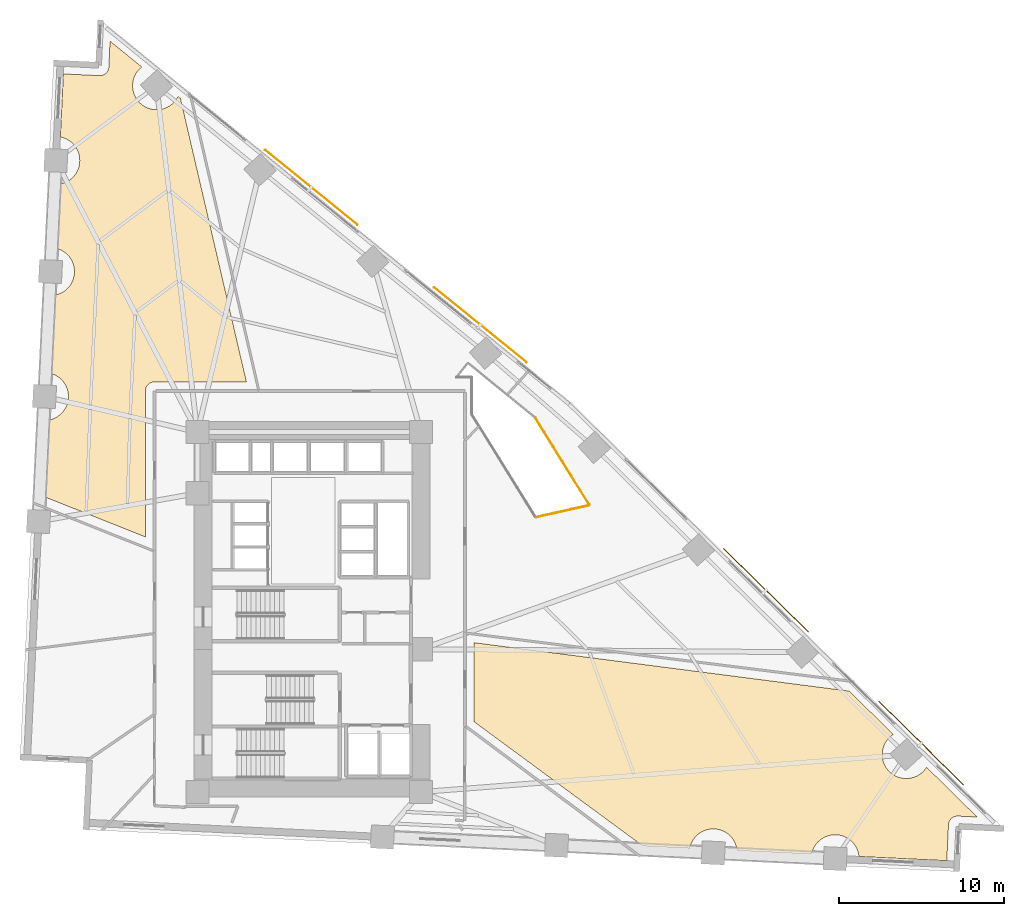
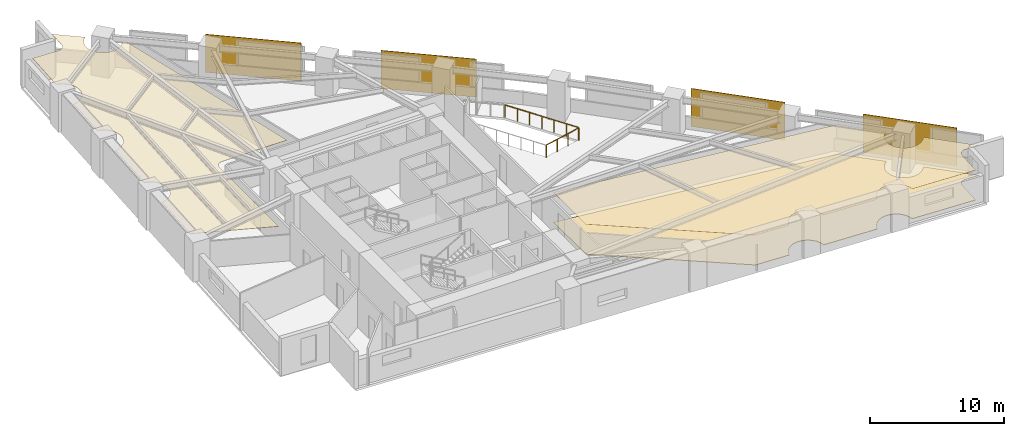
# One storey, part 17 of 17: 4 shading devices, 3 coverings, 2 railings.
"""IFC4 building model written with IfcOpenShell, lengths in metres."""

import ifcopenshell
import ifcopenshell.guid

model = None  # the IFC model being written
_history = None  # IfcOwnerHistory: only IFC2X3 demands one
_inside = {}  # id of a spatial element -> (the spatial element, [elements in it])
_under = {}  # id of a project, library or spatial element -> (it, [spatial elements below it])
_declared = {}  # id of a project -> (the project, [libraries it declares])
_typed = {}  # id of a type object -> (the type object, [elements of that type])
_made_of = {}  # id of a material, layer set ... -> (it, [elements and type objects made of it])


def new_model(schema):
    """Start an empty IFC model of exactly this schema.

    Asked for "IFC4X3", IfcOpenShell would pick the latest addendum, in which some entities
    have other attributes; the version numbers below select the first issue.
    IFC2X3 requires an IfcOwnerHistory on every rooted entity: one is made here for all.
    """
    global model, _history
    if schema == "IFC4X3":
        model = ifcopenshell.file(schema_version=(4, 3, 0, 0))
    else:
        model = ifcopenshell.file(schema=schema)
    _inside.clear()
    _under.clear()
    _declared.clear()
    _typed.clear()
    _made_of.clear()
    _history = None
    if model.schema == "IFC2X3":
        org = make("IfcOrganization", Name="unknown")
        user = make(
            "IfcPersonAndOrganization",
            ThePerson=make("IfcPerson", FamilyName="unknown"),
            TheOrganization=org,
        )
        app = make(
            "IfcApplication",
            ApplicationDeveloper=org,
            Version="unknown",
            ApplicationFullName="unknown",
            ApplicationIdentifier="unknown",
        )
        _history = make(
            "IfcOwnerHistory",
            OwningUser=user,
            OwningApplication=app,
            ChangeAction="ADDED",
            CreationDate=0,
        )
    return model


def make(cls, **values):
    """One entity of the class cls with the attributes given. An attribute that is None is left unset."""
    return model.create_entity(
        cls, **{name: value for name, value in values.items() if value is not None}
    )


def rooted(cls, **values):
    """An entity with a GlobalId (a new one), such as an element, a storey or a relation."""
    return make(cls, GlobalId=ifcopenshell.guid.new(), OwnerHistory=_history, **values)


def si_unit(unit_type, name, prefix=None):
    """IfcSIUnit, for example si_unit("LENGTHUNIT", "METRE", prefix="MILLI")."""
    return make("IfcSIUnit", UnitType=unit_type, Prefix=prefix, Name=name)


def assignment(units):
    """IfcUnitAssignment: the units of a project."""
    return None if units is None else make("IfcUnitAssignment", Units=units)


def point(xyz):
    """IfcCartesianPoint."""
    return None if xyz is None else make("IfcCartesianPoint", Coordinates=xyz)


def direction(xyz):
    """IfcDirection."""
    return None if xyz is None else make("IfcDirection", DirectionRatios=xyz)


def frame(location, z_axis=None, x_axis=None):
    """IfcAxis2Placement3D, a coordinate frame: its origin and axes. An axis left out is left unset."""
    return make(
        "IfcAxis2Placement3D",
        Location=point(location),
        Axis=direction(z_axis),
        RefDirection=direction(x_axis),
    )


def frame_2d(location, x_axis=None):
    """IfcAxis2Placement2D, a coordinate frame in the plane: its origin and x axis."""
    return make(
        "IfcAxis2Placement2D", Location=point(location), RefDirection=direction(x_axis)
    )


def origin():
    """The frame at (0, 0, 0) with its axes left unset."""
    return frame((0.0, 0.0, 0.0))


def origin_2d():
    """The frame at (0, 0) in the plane with its x axis left unset."""
    return frame_2d((0.0, 0.0))


def place(relative_to, where):
    """IfcLocalPlacement: puts the frame where relative to a parent placement (None: the world)."""
    return make(
        "IfcLocalPlacement", PlacementRelTo=relative_to, RelativePlacement=where
    )


def context(
    kind, dimensions, precision=None, world=None, true_north=None, identifier=None
):
    """IfcGeometricRepresentationContext, for example the 3D "Model" context."""
    return make(
        "IfcGeometricRepresentationContext",
        ContextIdentifier=identifier,
        ContextType=kind,
        CoordinateSpaceDimension=dimensions,
        Precision=precision,
        WorldCoordinateSystem=world,
        TrueNorth=true_north,
    )


def subcontext(parent, identifier, kind, view, scale=None):
    """IfcGeometricRepresentationSubContext, for example "Body" below "Model"."""
    return make(
        "IfcGeometricRepresentationSubContext",
        ContextIdentifier=identifier,
        ContextType=kind,
        ParentContext=parent,
        TargetScale=scale,
        TargetView=view,
    )


def project(units=None, contexts=None):
    """IfcProject with its units and contexts."""
    return rooted(
        "IfcProject",
        Name="project",
        RepresentationContexts=contexts,
        UnitsInContext=assignment(units),
    )


def spatial(cls, under=None, at=None, **own):
    """A site, building, storey or space (cls), placed at a placement, below another one or the project."""
    s = rooted(cls, ObjectPlacement=at, **own)
    if under is not None:
        _under.setdefault(under.id(), (under, []))[1].append(s)
    return s


def polyline(points):
    """IfcPolyline through the points."""
    return make("IfcPolyline", Points=[point(p) for p in points])


def profile(cls, at=None, kind="AREA", **sizes):
    """A parametric profile (cls). Its sizes go by their IFC names, for example OverallWidth=200.0."""
    return make(cls, ProfileType=kind, Position=at, **sizes)


def rectangle(**sizes):
    """IfcRectangleProfileDef."""
    return profile("IfcRectangleProfileDef", **sizes)


def circle(**sizes):
    """IfcCircleProfileDef."""
    return profile("IfcCircleProfileDef", **sizes)


def outline(outer, holes=None, kind="AREA"):
    """IfcArbitraryClosedProfileDef: a profile drawn as a closed curve; with holes, ...WithVoids."""
    if holes is None:
        return make("IfcArbitraryClosedProfileDef", ProfileType=kind, OuterCurve=outer)
    return make(
        "IfcArbitraryProfileDefWithVoids",
        ProfileType=kind,
        OuterCurve=outer,
        InnerCurves=holes,
    )


def extrude(swept, where, along, depth):
    """IfcExtrudedAreaSolid: the profile swept, set in the frame where, extruded along a direction by depth."""
    return make(
        "IfcExtrudedAreaSolid",
        SweptArea=swept,
        Position=where,
        ExtrudedDirection=direction(along),
        Depth=depth,
    )


def shape(context_of_items, identifier, shape_type, items):
    """IfcShapeRepresentation: the items that make up one representation, for example the "Body"."""
    return make(
        "IfcShapeRepresentation",
        ContextOfItems=context_of_items,
        RepresentationIdentifier=identifier,
        RepresentationType=shape_type,
        Items=items,
    )


def material(Name=None, Category=None):
    """IfcMaterial."""
    return make("IfcMaterial", Name=Name, Category=Category)


def layer(
    of_material, thickness, ventilated=None, Name=None, Category=None, Priority=None
):
    """IfcMaterialLayer: one layer of a wall or slab, of a material (None: an air gap)."""
    return make(
        "IfcMaterialLayer",
        Material=of_material,
        LayerThickness=thickness,
        IsVentilated=ventilated,
        Name=Name,
        Category=Category,
        Priority=Priority,
    )


def layer_set(layers, Name=None):
    """IfcMaterialLayerSet."""
    return make("IfcMaterialLayerSet", MaterialLayers=layers, LayerSetName=Name)


def made_of(thing, what):
    """Note that an element or type object is made of a material, layer set ...; save() writes the relation."""
    if what is not None:
        _made_of.setdefault(what.id(), (what, []))[1].append(thing)
    return thing


def type_object(cls, material=None, **own):
    """A type object (cls), such as IfcWallType, which elements share."""
    return made_of(rooted(cls, **own), material)


def element(
    cls,
    number,
    at=None,
    inside=None,
    cuts=None,
    type_object=None,
    material=None,
    context=None,
    identifier="Body",
    shape_type=None,
    held_by="IfcProductDefinitionShape",
    body=None,
    shapes=None,
    **own,
):
    """One element of the class cls, such as IfcWall. Its Tag is "e" and its number.

    at: its placement. inside: the storey or other place that contains it. cuts: it is an
    opening in that element (IfcRelVoidsElement). A single representation is given by context,
    identifier, shape_type and body (its items); several are given by shapes. held_by: the class
    of the entity that holds the representations. save() writes the other relations.
    """
    e = rooted(cls, Tag="e%d" % number, ObjectPlacement=at, **own)
    if body is not None:
        shapes = [shape(context, identifier, shape_type, body)]
    if shapes is not None:
        e.Representation = make(held_by, Representations=shapes)
    if inside is not None:
        _inside.setdefault(inside.id(), (inside, []))[1].append(e)
    if cuts is not None:
        rooted(
            "IfcRelVoidsElement", RelatingBuildingElement=cuts, RelatedOpeningElement=e
        )
    if type_object is not None:
        _typed.setdefault(type_object.id(), (type_object, []))[1].append(e)
    return made_of(e, material)


def aggregate(whole, parts):
    """IfcRelAggregates: a whole, such as a stair, and the parts it consists of."""
    return rooted("IfcRelAggregates", RelatingObject=whole, RelatedObjects=parts)


def save(model, path):
    """Write the relations noted so far, then the file.

    IfcRelAggregates (storeys below a building ...), IfcRelContainedInSpatialStructure (elements
    in a storey), IfcRelDefinesByType, IfcRelAssociatesMaterial and IfcRelDeclares: one each for
    every whole, place, type object, material and project.
    """
    for whole, parts in _under.values():
        aggregate(whole, parts)
    for where, things in _inside.values():
        rooted(
            "IfcRelContainedInSpatialStructure",
            RelatedElements=things,
            RelatingStructure=where,
        )
    for kind, things in _typed.values():
        rooted("IfcRelDefinesByType", RelatedObjects=things, RelatingType=kind)
    for what, things in _made_of.values():
        rooted("IfcRelAssociatesMaterial", RelatedObjects=things, RelatingMaterial=what)
    for by, libraries in _declared.values():
        rooted("IfcRelDeclares", RelatingContext=by, RelatedDefinitions=libraries)
    model.write(path)


model = new_model("IFC4")

# Units and contexts
model_context = context("Model", 3, precision=1e-05, world=origin(), true_north=direction((0.0, 1.0)))
body_context = subcontext(model_context, "Body", "Model", "MODEL_VIEW")
ifc_project = project(units=[si_unit("LENGTHUNIT", "METRE"), si_unit("AREAUNIT", "SQUARE_METRE"), si_unit("VOLUMEUNIT", "CUBIC_METRE"), si_unit("PLANEANGLEUNIT", "RADIAN"), si_unit("MASSUNIT", "GRAM", prefix="KILO")], contexts=[model_context])

# Site, building, storey
site_placement = place(None, origin())
site = spatial("IfcSite", under=ifc_project, at=site_placement, CompositionType="ELEMENT")
building_placement = place(site_placement, origin())
building = spatial("IfcBuilding", under=site, at=building_placement, Name="Narakoshi Arena Tower", CompositionType="ELEMENT")
storey_placement = place(building_placement, frame((0.0, 0.0, 51.89990234375)))
storey = spatial("IfcBuildingStorey", under=building, at=storey_placement, Name="L13", CompositionType="ELEMENT", Elevation=51.89990234375)

# Coverings
ifc_material_1 = material(Name="Acoustic mineral-fibre ceiling tile")
ifc_layer_1 = layer(ifc_material_1, 0.02001953125)
ifc_layer_set_1 = layer_set([ifc_layer_1], Name="Acoustic mineral-fibre ceiling tile")
covering_type_1 = type_object("IfcCoveringType", Name="COV-CLG-AC20", PredefinedType="CEILING", material=ifc_layer_set_1)
covering_1_placement = place(storey_placement, frame((0.0, 0.0, 2.72998046875)))
element("IfcCovering", 1, at=covering_1_placement, inside=storey, type_object=covering_type_1, Name="L13 Suspended Acoustic Ceiling 1", PredefinedType="CEILING", context=body_context, shape_type="SweptSolid", body=[
    extrude(outline(polyline([(112.07958984375, 30.7978515625), (112.079345703125, 30.803955078125), (112.05859375, 30.94482421875), (112.02392578125, 31.082763671875), (111.97607421875, 31.216796875), (111.915283203125, 31.345458984375), (111.842041015625, 31.467529296875), (111.75732421875, 31.581787109375), (111.66162109375, 31.687255859375), (111.556396484375, 31.78271484375), (111.44189453125, 31.867431640625), (111.31982421875, 31.940673828125), (111.19140625, 32.00146484375), (111.057373046875, 32.049560546875), (110.919189453125, 32.083984375), (110.778564453125, 32.10498046875), (110.636474609375, 32.11181640625), (110.494384765625, 32.10498046875), (110.353515625, 32.083984375), (110.215576171875, 32.049560546875), (110.08154296875, 32.00146484375), (109.952880859375, 31.940673828125), (109.830810546875, 31.867431640625), (109.716552734375, 31.78271484375), (109.611083984375, 31.687255859375), (109.515380859375, 31.581787109375), (109.430908203125, 31.467529296875), (109.357666015625, 31.345458984375), (109.296875, 31.216796875), (109.248779296875, 31.082763671875), (109.21435546875, 30.94482421875), (109.212890625, 30.935546875), (104.6962890625, 31.152587890625), (104.69580078125, 31.15869140625), (104.675048828125, 31.29931640625), (104.640380859375, 31.4375), (104.592529296875, 31.5712890625), (104.53173828125, 31.699951171875), (104.45849609375, 31.822021484375), (104.373779296875, 31.936279296875), (104.2783203125, 32.041748046875), (104.1728515625, 32.137451171875), (104.05859375, 32.22216796875), (103.936279296875, 32.29541015625), (103.807861328125, 32.356201171875), (103.673828125, 32.404052734375), (103.535888671875, 32.438720703125), (103.39501953125, 32.45947265625), (103.2529296875, 32.466552734375), (103.11083984375, 32.45947265625), (102.969970703125, 32.438720703125), (102.83203125, 32.404052734375), (102.697998046875, 32.356201171875), (102.5693359375, 32.29541015625), (102.447265625, 32.22216796875), (102.3330078125, 32.137451171875), (102.2275390625, 32.041748046875), (102.132080078125, 31.936279296875), (102.04736328125, 31.822021484375), (101.97412109375, 31.699951171875), (101.913330078125, 31.5712890625), (101.865234375, 31.4375), (101.830810546875, 31.29931640625), (101.829345703125, 31.290283203125), (98.991943359375, 31.426513671875), (88.759521484375, 38.962890625), (88.759521484375, 43.748779296875), (111.491943359375, 40.81640625), (114.159912109375, 38.189453125), (114.13671875, 38.175537109375), (114.022216796875, 38.0908203125), (113.9169921875, 37.9951171875), (113.8212890625, 37.889892578125), (113.736572265625, 37.775390625), (113.663330078125, 37.6533203125), (113.6025390625, 37.52490234375), (113.5546875, 37.390869140625), (113.52001953125, 37.252685546875), (113.499267578125, 37.112060546875), (113.4921875, 36.969970703125), (113.499267578125, 36.827880859375), (113.52001953125, 36.68701171875), (113.5546875, 36.549072265625), (113.6025390625, 36.4150390625), (113.663330078125, 36.286376953125), (113.736572265625, 36.164306640625), (113.8212890625, 36.050048828125), (113.9169921875, 35.944580078125), (114.022216796875, 35.84912109375), (114.13671875, 35.764404296875), (114.2587890625, 35.691162109375), (114.38720703125, 35.63037109375), (114.521240234375, 35.582275390625), (114.6591796875, 35.5478515625), (114.800048828125, 35.52685546875), (114.942138671875, 35.52001953125), (115.084228515625, 35.52685546875), (115.22509765625, 35.5478515625), (115.363037109375, 35.582275390625), (115.4970703125, 35.63037109375), (115.625732421875, 35.691162109375), (115.747802734375, 35.764404296875), (115.862060546875, 35.84912109375), (115.967529296875, 35.944580078125), (116.06298828125, 36.050048828125), (116.147705078125, 36.164306640625), (116.17333984375, 36.206787109375), (119.239990234375, 33.18701171875), (118.080810546875, 33.24267578125), (118.02685546875, 33.24267578125), (117.97314453125, 33.2373046875), (117.920166015625, 33.226806640625), (117.868408203125, 33.2109375), (117.818603515625, 33.190185546875), (117.77099609375, 33.164794921875), (117.726318359375, 33.134765625), (117.6845703125, 33.100341796875), (117.646484375, 33.062255859375), (117.6123046875, 33.0205078125), (117.582275390625, 32.9755859375), (117.556884765625, 32.927978515625), (117.536376953125, 32.8779296875), (117.520751953125, 32.826416015625), (117.51025390625, 32.7734375), (117.5048828125, 32.7197265625), (117.400390625, 30.542236328125), (112.07958984375, 30.7978515625)])), origin(), (0.0, 0.0, 1.0), 0.02001953125),
])
ifc_material_2 = material(Name="Slatted oak acoustic timber baffle", Category="wood")
ifc_layer_2 = layer(ifc_material_2, 0.034912109375)
ifc_layer_set_2 = layer_set([ifc_layer_2], Name="Slatted oak acoustic timber baffle")
covering_type_2 = type_object("IfcCoveringType", Name="COV-CLG-WD35", PredefinedType="CEILING", material=ifc_layer_set_2)
covering_2_placement = place(storey_placement, frame((0.0, 0.0, 2.715087890625)))
element("IfcCovering", 2, at=covering_2_placement, inside=storey, type_object=covering_type_2, Name="L13 Suspended Acoustic Ceiling 2", PredefinedType="CEILING", context=body_context, shape_type="SweptSolid", body=[
    extrude(outline(polyline([(66.1171875, 78.10009765625), (66.1708984375, 78.10546875), (66.2236328125, 78.1162109375), (66.275390625, 78.1318359375), (66.3251953125, 78.152587890625), (66.372802734375, 78.177978515625), (66.41748046875, 78.2080078125), (66.459228515625, 78.242431640625), (66.497314453125, 78.280517578125), (66.531494140625, 78.322265625), (66.5615234375, 78.3671875), (66.5869140625, 78.414794921875), (66.607666015625, 78.46484375), (66.623291015625, 78.516357421875), (66.633544921875, 78.5693359375), (66.638916015625, 78.623046875), (66.7138671875, 80.185302734375), (68.63623046875, 78.622802734375), (68.611083984375, 78.60400390625), (68.505615234375, 78.508544921875), (68.41015625, 78.403076171875), (68.325439453125, 78.288818359375), (68.252197265625, 78.166748046875), (68.19140625, 78.0380859375), (68.143310546875, 77.904052734375), (68.10888671875, 77.76611328125), (68.087890625, 77.625244140625), (68.0810546875, 77.483154296875), (68.087890625, 77.341064453125), (68.10888671875, 77.2001953125), (68.143310546875, 77.062255859375), (68.19140625, 76.92822265625), (68.252197265625, 76.7998046875), (68.325439453125, 76.677490234375), (68.41015625, 76.563232421875), (68.505615234375, 76.4580078125), (68.611083984375, 76.3623046875), (68.725341796875, 76.277587890625), (68.847412109375, 76.204345703125), (68.97607421875, 76.1435546875), (69.110107421875, 76.095703125), (69.248046875, 76.06103515625), (69.388916015625, 76.040283203125), (69.531005859375, 76.033203125), (69.673095703125, 76.040283203125), (69.81396484375, 76.06103515625), (69.951904296875, 76.095703125), (70.0859375, 76.1435546875), (70.214599609375, 76.204345703125), (70.336669921875, 76.277587890625), (70.450927734375, 76.3623046875), (70.556396484375, 76.4580078125), (70.65185546875, 76.563232421875), (70.736572265625, 76.677490234375), (70.809814453125, 76.7998046875), (70.8291015625, 76.840576171875), (70.97705078125, 76.72021484375), (74.975341796875, 59.547607421875), (69.402587890625, 59.547607421875), (69.3486328125, 59.544921875), (69.295166015625, 59.536865234375), (69.242919921875, 59.523681640625), (69.19189453125, 59.505615234375), (69.143310546875, 59.482666015625), (69.096923828125, 59.454833984375), (69.0537109375, 59.422607421875), (69.013671875, 59.386474609375), (68.977294921875, 59.346435546875), (68.9453125, 59.302978515625), (68.91748046875, 59.2568359375), (68.894287109375, 59.2080078125), (68.876220703125, 59.1572265625), (68.863037109375, 59.104736328125), (68.85498046875, 59.051513671875), (68.8525390625, 58.99755859375), (68.8525390625, 50.156005859375), (62.656494140625, 52.6171875), (62.87744140625, 57.2158203125), (62.8837890625, 57.216064453125), (63.0244140625, 57.23681640625), (63.16259765625, 57.271484375), (63.29638671875, 57.3193359375), (63.425048828125, 57.380126953125), (63.547119140625, 57.453369140625), (63.66162109375, 57.5380859375), (63.766845703125, 57.6337890625), (63.862548828125, 57.739013671875), (63.947265625, 57.853515625), (64.0205078125, 57.9755859375), (64.081298828125, 58.10400390625), (64.129150390625, 58.238037109375), (64.163818359375, 58.376220703125), (64.1845703125, 58.516845703125), (64.191650390625, 58.658935546875), (64.1845703125, 58.801025390625), (64.163818359375, 58.94189453125), (64.129150390625, 59.079833984375), (64.081298828125, 59.2138671875), (64.0205078125, 59.342529296875), (63.947265625, 59.464599609375), (63.862548828125, 59.578857421875), (63.766845703125, 59.684326171875), (63.66162109375, 59.77978515625), (63.547119140625, 59.864501953125), (63.425048828125, 59.937744140625), (63.29638671875, 59.99853515625), (63.16259765625, 60.046630859375), (63.0244140625, 60.0810546875), (63.01513671875, 60.08251953125), (63.2412109375, 64.784912109375), (63.247314453125, 64.785400390625), (63.387939453125, 64.80615234375), (63.52587890625, 64.8408203125), (63.659912109375, 64.888671875), (63.78857421875, 64.949462890625), (63.91064453125, 65.022705078125), (64.02490234375, 65.107421875), (64.13037109375, 65.202880859375), (64.22607421875, 65.308349609375), (64.310791015625, 65.422607421875), (64.3837890625, 65.544921875), (64.444580078125, 65.67333984375), (64.49267578125, 65.807373046875), (64.527099609375, 65.9453125), (64.548095703125, 66.086181640625), (64.55517578125, 66.228271484375), (64.548095703125, 66.370361328125), (64.527099609375, 66.51123046875), (64.49267578125, 66.649169921875), (64.444580078125, 66.783203125), (64.3837890625, 66.911865234375), (64.310791015625, 67.033935546875), (64.22607421875, 67.148193359375), (64.13037109375, 67.253662109375), (64.02490234375, 67.34912109375), (63.91064453125, 67.433837890625), (63.78857421875, 67.507080078125), (63.659912109375, 67.56787109375), (63.52587890625, 67.615966796875), (63.387939453125, 67.650390625), (63.37890625, 67.65185546875), (63.564208984375, 71.51318359375), (63.5703125, 71.513671875), (63.711181640625, 71.534423828125), (63.84912109375, 71.569091796875), (63.983154296875, 71.616943359375), (64.11181640625, 71.677734375), (64.23388671875, 71.7509765625), (64.34814453125, 71.835693359375), (64.45361328125, 71.931396484375), (64.54931640625, 72.03662109375), (64.6337890625, 72.15087890625), (64.70703125, 72.273193359375), (64.767822265625, 72.401611328125), (64.81591796875, 72.53564453125), (64.850341796875, 72.673583984375), (64.871337890625, 72.814453125), (64.87841796875, 72.95654296875), (64.871337890625, 73.0986328125), (64.850341796875, 73.239501953125), (64.81591796875, 73.37744140625), (64.767822265625, 73.511474609375), (64.70703125, 73.64013671875), (64.6337890625, 73.76220703125), (64.54931640625, 73.87646484375), (64.45361328125, 73.98193359375), (64.34814453125, 74.077392578125), (64.23388671875, 74.162109375), (64.11181640625, 74.2353515625), (63.983154296875, 74.296142578125), (63.84912109375, 74.34423828125), (63.711181640625, 74.378662109375), (63.701904296875, 74.380126953125), (63.8857421875, 78.20458984375), (66.06298828125, 78.10009765625), (66.1171875, 78.10009765625)])), origin(), (0.0, 0.0, 1.0), 0.034912109375),
])
ifc_material_3 = material(Name="Raised steel access floor panel", Category="steel")
ifc_layer_3 = layer(ifc_material_3, 0.044921875)
ifc_layer_set_3 = layer_set([ifc_layer_3], Name="Raised steel access floor panel")
covering_type_3 = type_object("IfcCoveringType", Name="COV-FLR-RF45", PredefinedType="FLOORING", material=ifc_layer_set_3)
covering_3_placement = place(storey_placement, origin())
element("IfcCovering", 3, at=covering_3_placement, inside=storey, type_object=covering_type_3, Name="L13 Raised Steel Access Floor", PredefinedType="FLOORING", context=body_context, shape_type="SweptSolid", body=[
    extrude(outline(polyline([(112.07958984375, 30.7978515625), (112.079345703125, 30.803955078125), (112.05859375, 30.94482421875), (112.02392578125, 31.082763671875), (111.97607421875, 31.216796875), (111.915283203125, 31.345458984375), (111.842041015625, 31.467529296875), (111.75732421875, 31.581787109375), (111.66162109375, 31.687255859375), (111.556396484375, 31.78271484375), (111.44189453125, 31.867431640625), (111.31982421875, 31.940673828125), (111.19140625, 32.00146484375), (111.057373046875, 32.049560546875), (110.919189453125, 32.083984375), (110.778564453125, 32.10498046875), (110.636474609375, 32.11181640625), (110.494384765625, 32.10498046875), (110.353515625, 32.083984375), (110.215576171875, 32.049560546875), (110.08154296875, 32.00146484375), (109.952880859375, 31.940673828125), (109.830810546875, 31.867431640625), (109.716552734375, 31.78271484375), (109.611083984375, 31.687255859375), (109.515380859375, 31.581787109375), (109.430908203125, 31.467529296875), (109.357666015625, 31.345458984375), (109.296875, 31.216796875), (109.248779296875, 31.082763671875), (109.21435546875, 30.94482421875), (109.212890625, 30.935546875), (104.6962890625, 31.152587890625), (104.69580078125, 31.15869140625), (104.675048828125, 31.29931640625), (104.640380859375, 31.4375), (104.592529296875, 31.5712890625), (104.53173828125, 31.699951171875), (104.45849609375, 31.822021484375), (104.373779296875, 31.936279296875), (104.2783203125, 32.041748046875), (104.1728515625, 32.137451171875), (104.05859375, 32.22216796875), (103.936279296875, 32.29541015625), (103.807861328125, 32.356201171875), (103.673828125, 32.404052734375), (103.535888671875, 32.438720703125), (103.39501953125, 32.45947265625), (103.2529296875, 32.466552734375), (103.11083984375, 32.45947265625), (102.969970703125, 32.438720703125), (102.83203125, 32.404052734375), (102.697998046875, 32.356201171875), (102.5693359375, 32.29541015625), (102.447265625, 32.22216796875), (102.3330078125, 32.137451171875), (102.2275390625, 32.041748046875), (102.132080078125, 31.936279296875), (102.04736328125, 31.822021484375), (101.97412109375, 31.699951171875), (101.913330078125, 31.5712890625), (101.865234375, 31.4375), (101.830810546875, 31.29931640625), (101.829345703125, 31.290283203125), (98.991943359375, 31.426513671875), (88.759521484375, 38.962890625), (88.759521484375, 43.748779296875), (111.491943359375, 40.81640625), (114.159912109375, 38.189453125), (114.13671875, 38.175537109375), (114.022216796875, 38.0908203125), (113.9169921875, 37.9951171875), (113.8212890625, 37.889892578125), (113.736572265625, 37.775390625), (113.663330078125, 37.6533203125), (113.6025390625, 37.52490234375), (113.5546875, 37.390869140625), (113.52001953125, 37.252685546875), (113.499267578125, 37.112060546875), (113.4921875, 36.969970703125), (113.499267578125, 36.827880859375), (113.52001953125, 36.68701171875), (113.5546875, 36.549072265625), (113.6025390625, 36.4150390625), (113.663330078125, 36.286376953125), (113.736572265625, 36.164306640625), (113.8212890625, 36.050048828125), (113.9169921875, 35.944580078125), (114.022216796875, 35.84912109375), (114.13671875, 35.764404296875), (114.2587890625, 35.691162109375), (114.38720703125, 35.63037109375), (114.521240234375, 35.582275390625), (114.6591796875, 35.5478515625), (114.800048828125, 35.52685546875), (114.942138671875, 35.52001953125), (115.084228515625, 35.52685546875), (115.22509765625, 35.5478515625), (115.363037109375, 35.582275390625), (115.4970703125, 35.63037109375), (115.625732421875, 35.691162109375), (115.747802734375, 35.764404296875), (115.862060546875, 35.84912109375), (115.967529296875, 35.944580078125), (116.06298828125, 36.050048828125), (116.147705078125, 36.164306640625), (116.17333984375, 36.206787109375), (119.239990234375, 33.18701171875), (118.080810546875, 33.24267578125), (118.02685546875, 33.24267578125), (117.97314453125, 33.2373046875), (117.920166015625, 33.226806640625), (117.868408203125, 33.2109375), (117.818603515625, 33.190185546875), (117.77099609375, 33.164794921875), (117.726318359375, 33.134765625), (117.6845703125, 33.100341796875), (117.646484375, 33.062255859375), (117.6123046875, 33.0205078125), (117.582275390625, 32.9755859375), (117.556884765625, 32.927978515625), (117.536376953125, 32.8779296875), (117.520751953125, 32.826416015625), (117.51025390625, 32.7734375), (117.5048828125, 32.7197265625), (117.400390625, 30.542236328125), (112.07958984375, 30.7978515625)])), origin(), (0.0, 0.0, 1.0), 0.045166015625),
])

# Railings
ifc_material_4 = material(Name="Brushed bronze stainless steel", Category="steel")
railing_type = type_object("IfcRailingType", Name="RL-GRD-1150", PredefinedType="GUARDRAIL", material=ifc_material_4)
railing_1_placement = place(storey_placement, frame((92.4658203125, 57.3818359375, 0.0)))
element("IfcRailing", 4, at=railing_1_placement, inside=storey, type_object=railing_type, Name="L13 Sky-Garden Atrium Void Guardrail 6", PredefinedType="GUARDRAIL", context=body_context, shape_type="SweptSolid", body=[
    extrude(circle(Radius=0.02392578125, at=origin_2d()), frame((0.0, 0.0, 1.1259765625), z_axis=(0.527635914903, -0.849470624157, 0.0), x_axis=(0.849470624157, 0.527635914903, 0.0)), (0.0, 0.0, 1.0), 6.208984375),
    extrude(circle(Radius=0.02099609375, at=origin_2d()), origin(), (0.0, 0.0, 1.0), 1.101806640625),
    extrude(circle(Radius=0.02099609375, at=origin_2d()), frame((0.5458984375, -0.879150390625, 0.0)), (0.0, 0.0, 1.0), 1.101806640625),
    extrude(circle(Radius=0.02099609375, at=origin_2d()), frame((1.092041015625, -1.758056640625, 0.0)), (0.0, 0.0, 1.0), 1.101806640625),
    extrude(circle(Radius=0.02099609375, at=origin_2d()), frame((1.63818359375, -2.63720703125, 0.0)), (0.0, 0.0, 1.0), 1.101806640625),
    extrude(circle(Radius=0.02099609375, at=origin_2d()), frame((2.18408203125, -3.516357421875, 0.0)), (0.0, 0.0, 1.0), 1.101806640625),
    extrude(circle(Radius=0.02099609375, at=origin_2d()), frame((2.72998046875, -4.395263671875, 0.0)), (0.0, 0.0, 1.0), 1.101806640625),
    extrude(circle(Radius=0.02099609375, at=origin_2d()), frame((3.276123046875, -5.2744140625, 0.0)), (0.0, 0.0, 1.0), 1.101806640625),
])
railing_2_placement = place(storey_placement, frame((95.72412109375, 52.064453125, 0.0)))
element("IfcRailing", 5, at=railing_2_placement, inside=storey, type_object=railing_type, Name="L13 Sky-Garden Atrium Void Guardrail 7", PredefinedType="GUARDRAIL", context=body_context, shape_type="SweptSolid", body=[
    extrude(circle(Radius=0.02392578125, at=origin_2d()), frame((0.0, 0.0, 1.1259765625), z_axis=(-0.975700925248, -0.219106605264, 0.0), x_axis=(0.219106605264, -0.975700925248, 0.0)), (0.0, 0.0, 1.0), 3.265869140625),
    extrude(circle(Radius=0.02099609375, at=origin_2d()), origin(), (0.0, 0.0, 1.0), 1.101806640625),
    extrude(circle(Radius=0.02099609375, at=origin_2d()), frame((-1.062255859375, -0.238525390625, 0.0)), (0.0, 0.0, 1.0), 1.101806640625),
    extrude(circle(Radius=0.02099609375, at=origin_2d()), frame((-2.124267578125, -0.47705078125, 0.0)), (0.0, 0.0, 1.0), 1.101806640625),
    extrude(circle(Radius=0.02099609375, at=origin_2d()), frame((-3.1865234375, -0.715576171875, 0.0)), (0.0, 0.0, 1.0), 1.101806640625),
])

# Shading devices
ifc_material_5 = material(Name="Perforated bronze ceramic-metal composite")
ifc_layer_4 = layer(ifc_material_5, 0.044921875)
ifc_layer_set_4 = layer_set([ifc_layer_4], Name="Perforated bronze ceramic-metal composite")
shading_device_type = type_object("IfcShadingDeviceType", Name="SHD-SCR-BRZ1", PredefinedType="USERDEFINED", material=ifc_layer_set_4)
for number, where, z_axis, x_axis, name in (
    (6, (115.85498046875, 37.660400390625, 0.0), (0.0, 0.0, 1.0), (-0.712540559713, 0.70163092204, 0.0), "L13 Perforated Bronze Solar Screen 1-1"),
    (7, (106.44970703125, 46.921875, 0.0), (0.0, 0.0, 1.0), (-0.712540559713, 0.70163092204, 0.0), "L13 Perforated Bronze Solar Screen 1-2"),
    (8, (89.14208984375, 63.002685546875, 0.0), (0.0, 0.0, 1.0), (-0.776002375698, 0.630729984154, 0.0), "L13 Perforated Bronze Solar Screen 2-1"),
    (9, (78.898681640625, 71.328369140625, 0.0), (0.0, 0.0, 1.0), (-0.776002375698, 0.630729984154, 0.0), "L13 Perforated Bronze Solar Screen 2-2"),
):
    element("IfcShadingDevice", number, at=place(storey_placement, frame(where, z_axis=z_axis, x_axis=x_axis)), inside=storey, type_object=shading_device_type, Name=name, ObjectType="SOLAR SCREEN", PredefinedType="USERDEFINED", context=body_context, shape_type="SweptSolid", body=[
        extrude(rectangle(XDim=7.199951171875, YDim=0.044921875, at=origin_2d()), origin(), (0.0, 0.0, 1.0), 3.449951171875),
    ])

save(model, "model.ifc")
